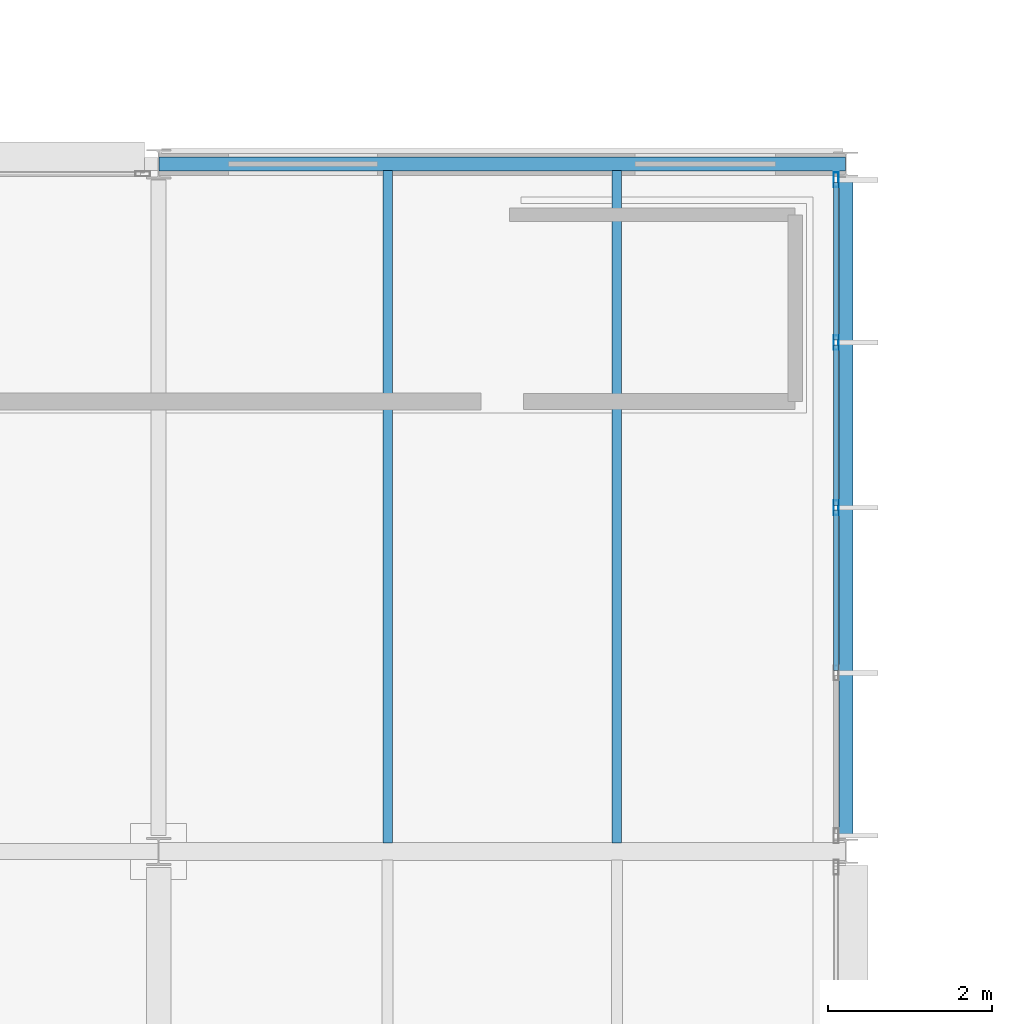
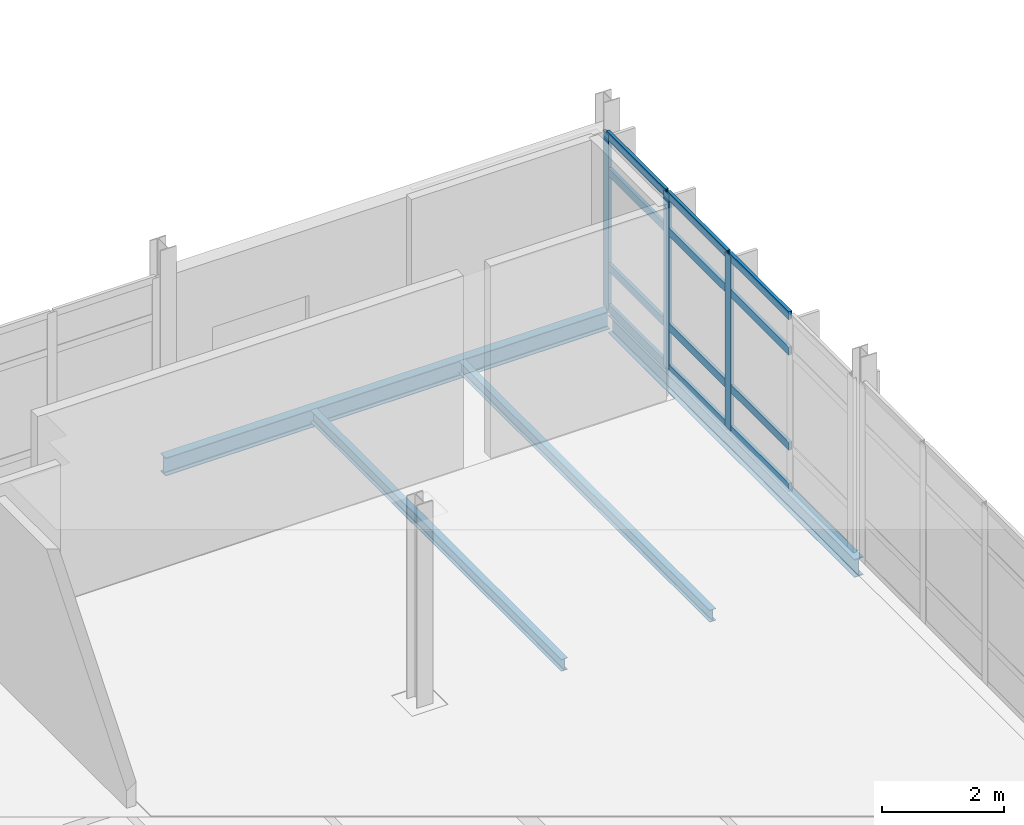
# One storey, part 89 of 151: 15 members, 4 beams, 1 element without a shape of its own.
"""IFC4 building model written with IfcOpenShell, lengths in metres."""

from ifc_helpers import new_model, si_unit, direction, frame, origin, origin_2d, place, context, subcontext, project, spatial, hollow_rectangle, i_section, extrude, material, material_profile, profile_set, type_object, element, aggregate, save


model = new_model("IFC4")

# Units and contexts
model_context = context("Model", 3, precision=1e-05, world=origin(), true_north=direction((0.0, 1.0)))
body_context = subcontext(model_context, "Body", "Model", "MODEL_VIEW")
ifc_project = project(units=[si_unit("LENGTHUNIT", "METRE"), si_unit("AREAUNIT", "SQUARE_METRE"), si_unit("VOLUMEUNIT", "CUBIC_METRE"), si_unit("PLANEANGLEUNIT", "RADIAN"), si_unit("MASSUNIT", "GRAM", prefix="KILO")], contexts=[model_context])

# Site, building, storey
site_placement = place(None, origin())
site = spatial("IfcSite", under=ifc_project, at=site_placement, CompositionType="ELEMENT")
building_placement = place(site_placement, origin())
building = spatial("IfcBuilding", under=site, at=building_placement, Name="Mersafa Astral City Hall", CompositionType="ELEMENT")
storey_placement = place(building_placement, frame((0.0, 0.0, 9.89990234375)))
storey = spatial("IfcBuildingStorey", under=building, at=storey_placement, Name="L02", CompositionType="ELEMENT", Elevation=9.89990234375)

# Curtain wall, members
ifc_material_1 = material(Name="Anodised bronze aluminium framing", Category="aluminium")
curtain_wall_type = type_object("IfcCurtainWallType", Name="ENV-CW-1", PredefinedType="USERDEFINED", material=ifc_material_1)
curtain_wall_placement = place(storey_placement, origin())
curtain_wall = element("IfcCurtainWall", 1, at=curtain_wall_placement, inside=storey, type_object=curtain_wall_type, Name="L02 Unitised solar curtain wall 108", ObjectType="UNITISED CURTAIN WALL", PredefinedType="USERDEFINED")
ifc_material_profile_1 = material_profile(ifc_material_1, hollow_rectangle(XDim=0.06005859375, YDim=0.179931640625, WallThickness=0.00390625, at=origin_2d()), Name="RHS 60x180x4")
ifc_profile_set_1 = profile_set([ifc_material_profile_1], Name="Anodised bronze aluminium framing")
member_type_1 = type_object("IfcMemberType", Name="ENV-CW-MUL-1", PredefinedType="MULLION", material=ifc_profile_set_1)
member_1_placement = place(storey_placement, frame((142.679931640625, 29.39990234375, -0.001953125), z_axis=(0.0, 0.0, 1.0), x_axis=(-1.0, 0.0, 0.0)))
member_1 = element("IfcMember", 2, at=member_1_placement, type_object=member_type_1, Name="CW-1 mullion 3", PredefinedType="MULLION", context=body_context, shape_type="SweptSolid", body=[
    extrude(hollow_rectangle(XDim=0.06005859375, YDim=0.179931640625, WallThickness=0.00390625, at=origin_2d()), origin(), (0.0, 0.0, 1.0), 3.489013671875),
])
member_2_placement = place(storey_placement, frame((142.679931640625, 31.4189453125, -0.001953125), z_axis=(0.0, 0.0, 1.0), x_axis=(-1.0, 0.0, 0.0)))
member_2 = element("IfcMember", 3, at=member_2_placement, type_object=member_type_1, Name="CW-1 mullion 4", PredefinedType="MULLION", context=body_context, shape_type="SweptSolid", body=[
    extrude(hollow_rectangle(XDim=0.06005859375, YDim=0.179931640625, WallThickness=0.00390625, at=origin_2d()), origin(), (0.0, 0.0, 1.0), 3.489013671875),
])
member_3_placement = place(storey_placement, frame((142.679931640625, 33.407958984375, -0.001953125), z_axis=(0.0, 0.0, 1.0), x_axis=(-1.0, 0.0, 0.0)))
member_3 = element("IfcMember", 4, at=member_3_placement, type_object=member_type_1, Name="CW-1 mullion 5", PredefinedType="MULLION", context=body_context, shape_type="SweptSolid", body=[
    extrude(hollow_rectangle(XDim=0.06005859375, YDim=0.179931640625, WallThickness=0.00390625, at=origin_2d()), origin(), (0.0, 0.0, 1.0), 3.489013671875),
])
ifc_material_profile_2 = material_profile(ifc_material_1, hollow_rectangle(XDim=0.06005859375, YDim=0.159912109375, WallThickness=0.00390625, at=origin_2d()), Name="RHS 60x160x4")
ifc_profile_set_2 = profile_set([ifc_material_profile_2], Name="Anodised bronze aluminium framing")
member_type_2 = type_object("IfcMemberType", Name="ENV-CW-TRN-2", PredefinedType="USERDEFINED", material=ifc_profile_set_2)
member_4_placement = place(storey_placement, frame((142.679931640625, 27.410888671875, 0.028076171875), z_axis=(0.0, 1.0, 0.0), x_axis=(-1.0, 0.0, 0.0)))
member_4 = element("IfcMember", 5, at=member_4_placement, type_object=member_type_2, Name="CW-1 transom 2.1", ObjectType="TRANSOM", PredefinedType="USERDEFINED", context=body_context, shape_type="SweptSolid", body=[
    extrude(hollow_rectangle(XDim=0.06005859375, YDim=0.159912109375, WallThickness=0.00390625, at=origin_2d()), origin(), (0.0, 0.0, 1.0), 1.959228515625),
])
member_5_placement = place(storey_placement, frame((142.679931640625, 27.410888671875, 0.85009765625), z_axis=(0.0, 1.0, 0.0), x_axis=(-1.0, 0.0, 0.0)))
member_5 = element("IfcMember", 6, at=member_5_placement, type_object=member_type_2, Name="CW-1 transom 2.2", ObjectType="TRANSOM", PredefinedType="USERDEFINED", context=body_context, shape_type="SweptSolid", body=[
    extrude(hollow_rectangle(XDim=0.06005859375, YDim=0.159912109375, WallThickness=0.00390625, at=origin_2d()), origin(), (0.0, 0.0, 1.0), 1.959228515625),
])
member_6_placement = place(storey_placement, frame((142.679931640625, 27.410888671875, 2.75), z_axis=(0.0, 1.0, 0.0), x_axis=(-1.0, 0.0, 0.0)))
member_6 = element("IfcMember", 7, at=member_6_placement, type_object=member_type_2, Name="CW-1 transom 2.3", ObjectType="TRANSOM", PredefinedType="USERDEFINED", context=body_context, shape_type="SweptSolid", body=[
    extrude(hollow_rectangle(XDim=0.06005859375, YDim=0.159912109375, WallThickness=0.00390625, at=origin_2d()), origin(), (0.0, 0.0, 1.0), 1.959228515625),
])
member_7_placement = place(storey_placement, frame((142.679931640625, 27.410888671875, 3.45703125), z_axis=(0.0, 1.0, 0.0), x_axis=(-1.0, 0.0, 0.0)))
member_7 = element("IfcMember", 8, at=member_7_placement, type_object=member_type_2, Name="CW-1 transom 2.4", ObjectType="TRANSOM", PredefinedType="USERDEFINED", context=body_context, shape_type="SweptSolid", body=[
    extrude(hollow_rectangle(XDim=0.06005859375, YDim=0.159912109375, WallThickness=0.00390625, at=origin_2d()), origin(), (0.0, 0.0, 1.0), 1.959228515625),
])
member_8_placement = place(storey_placement, frame((142.679931640625, 29.429931640625, 0.028076171875), z_axis=(0.0, 1.0, 0.0), x_axis=(-1.0, 0.0, 0.0)))
member_8 = element("IfcMember", 9, at=member_8_placement, type_object=member_type_2, Name="CW-1 transom 3.1", ObjectType="TRANSOM", PredefinedType="USERDEFINED", context=body_context, shape_type="SweptSolid", body=[
    extrude(hollow_rectangle(XDim=0.06005859375, YDim=0.159912109375, WallThickness=0.00390625, at=origin_2d()), origin(), (0.0, 0.0, 1.0), 1.958984375),
])
member_9_placement = place(storey_placement, frame((142.679931640625, 29.429931640625, 0.85009765625), z_axis=(0.0, 1.0, 0.0), x_axis=(-1.0, 0.0, 0.0)))
member_9 = element("IfcMember", 10, at=member_9_placement, type_object=member_type_2, Name="CW-1 transom 3.2", ObjectType="TRANSOM", PredefinedType="USERDEFINED", context=body_context, shape_type="SweptSolid", body=[
    extrude(hollow_rectangle(XDim=0.06005859375, YDim=0.159912109375, WallThickness=0.00390625, at=origin_2d()), origin(), (0.0, 0.0, 1.0), 1.958984375),
])
member_10_placement = place(storey_placement, frame((142.679931640625, 29.429931640625, 2.75), z_axis=(0.0, 1.0, 0.0), x_axis=(-1.0, 0.0, 0.0)))
member_10 = element("IfcMember", 11, at=member_10_placement, type_object=member_type_2, Name="CW-1 transom 3.3", ObjectType="TRANSOM", PredefinedType="USERDEFINED", context=body_context, shape_type="SweptSolid", body=[
    extrude(hollow_rectangle(XDim=0.06005859375, YDim=0.159912109375, WallThickness=0.00390625, at=origin_2d()), origin(), (0.0, 0.0, 1.0), 1.958984375),
])
member_11_placement = place(storey_placement, frame((142.679931640625, 29.429931640625, 3.45703125), z_axis=(0.0, 1.0, 0.0), x_axis=(-1.0, 0.0, 0.0)))
member_11 = element("IfcMember", 12, at=member_11_placement, type_object=member_type_2, Name="CW-1 transom 3.4", ObjectType="TRANSOM", PredefinedType="USERDEFINED", context=body_context, shape_type="SweptSolid", body=[
    extrude(hollow_rectangle(XDim=0.06005859375, YDim=0.159912109375, WallThickness=0.00390625, at=origin_2d()), origin(), (0.0, 0.0, 1.0), 1.958984375),
])
member_12_placement = place(storey_placement, frame((142.679931640625, 31.448974609375, 0.028076171875), z_axis=(0.0, 1.0, 0.0), x_axis=(-1.0, 0.0, 0.0)))
member_12 = element("IfcMember", 13, at=member_12_placement, type_object=member_type_2, Name="CW-1 transom 4.1", ObjectType="TRANSOM", PredefinedType="USERDEFINED", context=body_context, shape_type="SweptSolid", body=[
    extrude(hollow_rectangle(XDim=0.06005859375, YDim=0.159912109375, WallThickness=0.00390625, at=origin_2d()), origin(), (0.0, 0.0, 1.0), 1.928955078125),
])
member_13_placement = place(storey_placement, frame((142.679931640625, 31.448974609375, 0.85009765625), z_axis=(0.0, 1.0, 0.0), x_axis=(-1.0, 0.0, 0.0)))
member_13 = element("IfcMember", 14, at=member_13_placement, type_object=member_type_2, Name="CW-1 transom 4.2", ObjectType="TRANSOM", PredefinedType="USERDEFINED", context=body_context, shape_type="SweptSolid", body=[
    extrude(hollow_rectangle(XDim=0.06005859375, YDim=0.159912109375, WallThickness=0.00390625, at=origin_2d()), origin(), (0.0, 0.0, 1.0), 1.928955078125),
])
member_14_placement = place(storey_placement, frame((142.679931640625, 31.448974609375, 2.75), z_axis=(0.0, 1.0, 0.0), x_axis=(-1.0, 0.0, 0.0)))
member_14 = element("IfcMember", 15, at=member_14_placement, type_object=member_type_2, Name="CW-1 transom 4.3", ObjectType="TRANSOM", PredefinedType="USERDEFINED", context=body_context, shape_type="SweptSolid", body=[
    extrude(hollow_rectangle(XDim=0.06005859375, YDim=0.159912109375, WallThickness=0.00390625, at=origin_2d()), origin(), (0.0, 0.0, 1.0), 1.928955078125),
])
member_15_placement = place(storey_placement, frame((142.679931640625, 31.448974609375, 3.45703125), z_axis=(0.0, 1.0, 0.0), x_axis=(-1.0, 0.0, 0.0)))
member_15 = element("IfcMember", 16, at=member_15_placement, type_object=member_type_2, Name="CW-1 transom 4.4", ObjectType="TRANSOM", PredefinedType="USERDEFINED", context=body_context, shape_type="SweptSolid", body=[
    extrude(hollow_rectangle(XDim=0.06005859375, YDim=0.159912109375, WallThickness=0.00390625, at=origin_2d()), origin(), (0.0, 0.0, 1.0), 1.928955078125),
])
aggregate(curtain_wall, [member_1, member_2, member_3, member_4, member_5, member_6, member_7, member_8, member_9, member_10, member_11, member_12, member_13, member_14, member_15])

# Beams
ifc_material_2 = material(Name="Steel S355", Category="steel")
ifc_material_profile_3 = material_profile(ifc_material_2, i_section(OverallWidth=0.1201171875, OverallDepth=0.239990234375, WebThickness=0.006103515625, FlangeThickness=0.009765625, FilletRadius=0.014892578125, at=origin_2d()), Name="IPE 240")
ifc_profile_set_3 = profile_set([ifc_material_profile_3], Name="Steel S355")
beam_type_1 = type_object("IfcBeamType", Name="STR-BM-JOIST-IPE240", PredefinedType="JOIST", material=ifc_profile_set_3)
for number, where, z_axis, x_axis, name in (
    (17, (137.199951171875, 25.304931640625, -0.31982421875), (0.0, 1.0, 0.0), (-1.0, 0.0, 0.0), "L02 Composite secondary floor joist 510"),
    (18, (140.0, 25.304931640625, -0.31982421875), (0.0, 1.0, 0.0), (-1.0, 0.0, 0.0), "L02 Composite secondary floor joist 511"),
):
    element("IfcBeam", number, at=place(storey_placement, frame(where, z_axis=z_axis, x_axis=x_axis)), inside=storey, type_object=beam_type_1, Name=name, PredefinedType="JOIST", context=body_context, shape_type="SweptSolid", body=[
        extrude(i_section(OverallWidth=0.1201171875, OverallDepth=0.239990234375, WebThickness=0.006103515625, FlangeThickness=0.009765625, FilletRadius=0.014892578125, at=origin_2d()), origin(), (0.0, 0.0, 1.0), 8.215087890625),
    ])
ifc_material_profile_4 = material_profile(ifc_material_2, i_section(OverallWidth=0.169921875, OverallDepth=0.360107421875, WebThickness=0.008056640625, FlangeThickness=0.0126953125, FilletRadius=0.01806640625, at=origin_2d()), Name="IPE 360")
ifc_profile_set_4 = profile_set([ifc_material_profile_4], Name="Steel S355")
beam_type_2 = type_object("IfcBeamType", Name="STR-BM-SPANDREL-IPE360", PredefinedType="SPANDREL", material=ifc_profile_set_4)
beam_1_placement = place(storey_placement, frame((134.403076171875, 33.60009765625, -0.3798828125), z_axis=(1.0, 0.0, 0.0), x_axis=(0.0, 1.0, 0.0)))
element("IfcBeam", 19, at=beam_1_placement, inside=storey, type_object=beam_type_2, Name="L02 Primary girder X 16-4", PredefinedType="SPANDREL", context=body_context, shape_type="SweptSolid", body=[
    extrude(i_section(OverallWidth=0.169921875, OverallDepth=0.360107421875, WebThickness=0.008056640625, FlangeThickness=0.0126953125, FilletRadius=0.01806640625, at=origin_2d()), origin(), (0.0, 0.0, 1.0), 8.39404296875),
])
beam_2_placement = place(storey_placement, frame((142.800048828125, 25.375, -0.3798828125), z_axis=(0.0, 1.0, 0.0), x_axis=(-1.0, 0.0, 0.0)))
element("IfcBeam", 20, at=beam_2_placement, inside=storey, type_object=beam_type_2, Name="L02 Primary girder Y 17-3", PredefinedType="SPANDREL", context=body_context, shape_type="SweptSolid", body=[
    extrude(i_section(OverallWidth=0.169921875, OverallDepth=0.360107421875, WebThickness=0.008056640625, FlangeThickness=0.0126953125, FilletRadius=0.01806640625, at=origin_2d()), origin(), (0.0, 0.0, 1.0), 8.06005859375),
])

save(model, "model.ifc")
